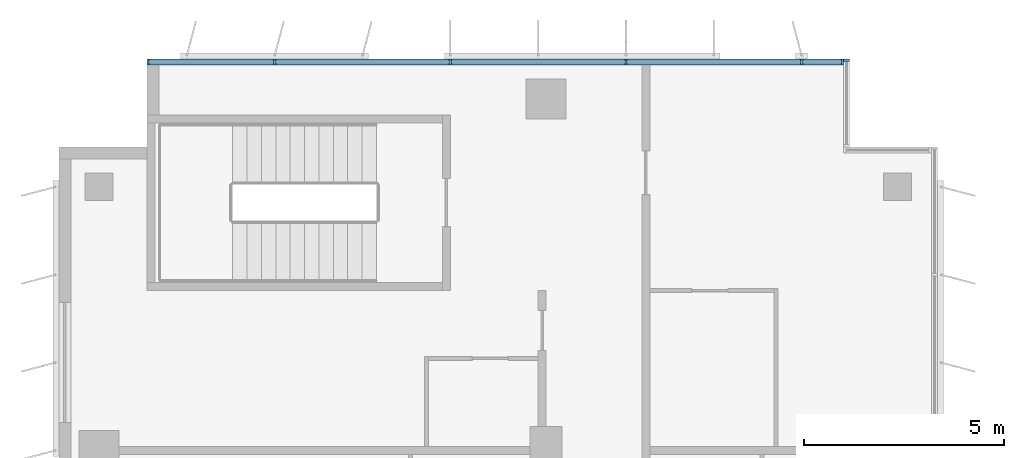
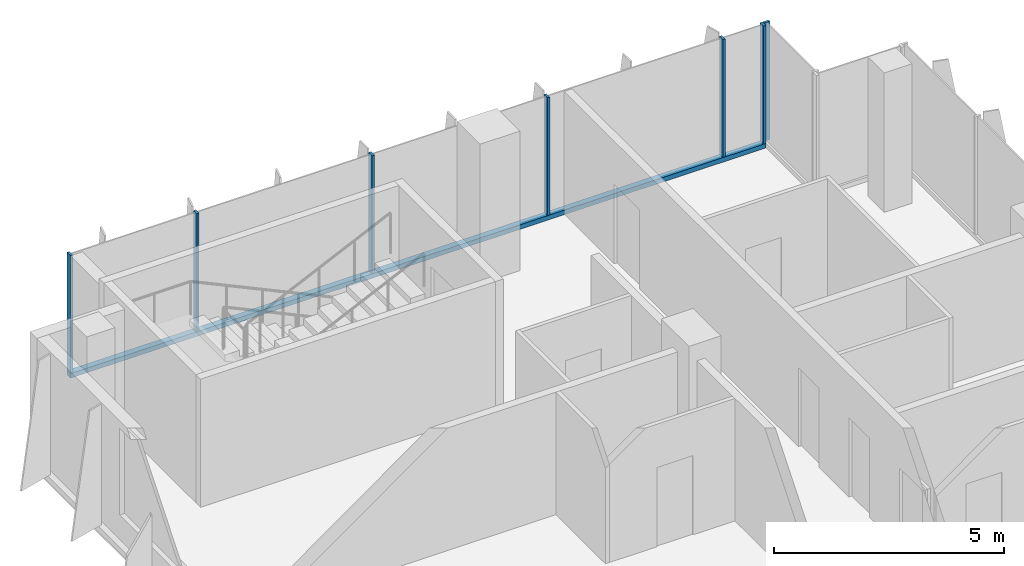
# One storey, part 9 of 21: 8 members, 2 elements without a shape of their own.
"""IFC4 building model written with IfcOpenShell, lengths in metres."""

from ifc_helpers import new_model, si_unit, direction, frame, origin, origin_2d, place, context, subcontext, project, spatial, rectangle, extrude, source, transform, mapped, material, material_profile, profile_set, type_object, element, aggregate, save


model = new_model("IFC4")

# Units and contexts
model_context = context("Model", 3, precision=1e-05, world=origin(), true_north=direction((0.0, 1.0)))
body_context = subcontext(model_context, "Body", "Model", "MODEL_VIEW")
ifc_project = project(units=[si_unit("LENGTHUNIT", "METRE"), si_unit("AREAUNIT", "SQUARE_METRE"), si_unit("VOLUMEUNIT", "CUBIC_METRE"), si_unit("PLANEANGLEUNIT", "RADIAN"), si_unit("MASSUNIT", "GRAM", prefix="KILO")], contexts=[model_context])

# Site, building, storey
site_placement = place(None, origin())
site = spatial("IfcSite", under=ifc_project, at=site_placement, CompositionType="ELEMENT")
building_placement = place(site_placement, origin())
building = spatial("IfcBuilding", under=site, at=building_placement, Name="Kemantara Hotel Tower", CompositionType="ELEMENT")
storey_placement = place(building_placement, frame((0.0, 0.0, 219.10009765625)))
storey = spatial("IfcBuildingStorey", under=building, at=storey_placement, Name="L54", CompositionType="ELEMENT", Elevation=219.10009765625)

# Curtain wall, members
ifc_material_1 = material(Name="Low-E tinted double insulated glass 36 mm", Category="glass")
curtain_wall_type = type_object("IfcCurtainWallType", Name="TOWER CURTAIN WALL, FRONT FACES", PredefinedType="USERDEFINED", material=ifc_material_1)
curtain_wall_1_placement = place(storey_placement, origin())
curtain_wall_1 = element("IfcCurtainWall", 1, at=curtain_wall_1_placement, inside=storey, type_object=curtain_wall_type, Name="CW4 L54 T3-R02-1", ObjectType="TOWER CURTAIN WALL, FRONT FACES", PredefinedType="USERDEFINED")
ifc_material_2 = material(Name="Aluminium 6063-T6 bronze anodised", Category="aluminium")
ifc_material_profile_1 = material_profile(ifc_material_2, rectangle(XDim=0.14990234375, YDim=0.1201171875, at=origin_2d()), Name="TOWER CURTAIN WALL, FRONT FACES TRANSOM")
ifc_profile_set_1 = profile_set([ifc_material_profile_1], Name="Aluminium 6063-T6 bronze anodised")
member_type_1 = type_object("IfcMemberType", Name="TOWER CURTAIN WALL, FRONT FACES TRANSOM", PredefinedType="USERDEFINED", material=ifc_profile_set_1)
member_1_placement = place(storey_placement, frame((19.64990234375, 63.52490234375, 0.059814453125), z_axis=(-1.0, 0.0, 0.0), x_axis=(0.0, -1.0, 0.0)))
member_1 = element("IfcMember", 2, at=member_1_placement, type_object=member_type_1, Name="CW4 sill transom T3-R02-1", ObjectType="TRANSOM", PredefinedType="USERDEFINED", context=body_context, shape_type="SweptSolid", body=[
    extrude(rectangle(XDim=0.14990234375, YDim=0.1201171875, at=origin_2d()), origin(), (0.0, 0.0, 1.0), 17.449951171875),
])
ifc_material_profile_2 = material_profile(ifc_material_2, rectangle(XDim=0.14990234375, YDim=0.06005859375, at=origin_2d()), Name="TOWER CURTAIN WALL, FRONT FACES MULLION")
ifc_profile_set_2 = profile_set([ifc_material_profile_2], Name="Aluminium 6063-T6 bronze anodised")
member_type_2 = type_object("IfcMemberType", Name="TOWER CURTAIN WALL, FRONT FACES MULLION", PredefinedType="MULLION", material=ifc_profile_set_2)
shared_shape = source(origin(), body_context, "Body", "SweptSolid", [
    extrude(rectangle(XDim=0.14990234375, YDim=0.06005859375, at=origin_2d()), origin(), (0.0, 0.0, 1.0), 3.130126953125),
])
member_2_placement = place(storey_placement, frame((19.6201171875, 63.52490234375, 0.119873046875), z_axis=(0.0, 0.0, 1.0), x_axis=(0.0, -1.0, 0.0)))
member_2 = element("IfcMember", 3, at=member_2_placement, type_object=member_type_2, Name="CW4 mullion T3-R02-1.1", PredefinedType="MULLION", context=body_context, shape_type="MappedRepresentation", body=[
    mapped(shared_shape, transform((0.0, 0.0, 0.0))),
])
member_3_placement = place(storey_placement, frame((18.60009765625, 63.52490234375, 0.119873046875), z_axis=(0.0, 0.0, 1.0), x_axis=(0.0, -1.0, 0.0)))
member_3 = element("IfcMember", 4, at=member_3_placement, type_object=member_type_2, Name="CW4 mullion T3-R02-1.2", PredefinedType="MULLION", context=body_context, shape_type="MappedRepresentation", body=[
    mapped(shared_shape, transform((0.0, 0.0, 0.0))),
])
member_4_placement = place(storey_placement, frame((14.199951171875, 63.52490234375, 0.119873046875), z_axis=(0.0, 0.0, 1.0), x_axis=(0.0, -1.0, 0.0)))
member_4 = element("IfcMember", 5, at=member_4_placement, type_object=member_type_2, Name="CW4 mullion T3-R02-1.3", PredefinedType="MULLION", context=body_context, shape_type="MappedRepresentation", body=[
    mapped(shared_shape, transform((0.0, 0.0, 0.0))),
])
member_5_placement = place(storey_placement, frame((9.800048828125, 63.52490234375, 0.119873046875), z_axis=(0.0, 0.0, 1.0), x_axis=(0.0, -1.0, 0.0)))
member_5 = element("IfcMember", 6, at=member_5_placement, type_object=member_type_2, Name="CW4 mullion T3-R02-1.4", PredefinedType="MULLION", context=body_context, shape_type="MappedRepresentation", body=[
    mapped(shared_shape, transform((0.0, 0.0, 0.0))),
])
member_6_placement = place(storey_placement, frame((5.39990234375, 63.52490234375, 0.119873046875), z_axis=(0.0, 0.0, 1.0), x_axis=(0.0, -1.0, 0.0)))
member_6 = element("IfcMember", 7, at=member_6_placement, type_object=member_type_2, Name="CW4 mullion T3-R02-1.5", PredefinedType="MULLION", context=body_context, shape_type="MappedRepresentation", body=[
    mapped(shared_shape, transform((0.0, 0.0, 0.0))),
])
member_7_placement = place(storey_placement, frame((2.22998046875, 63.52490234375, 0.119873046875), z_axis=(0.0, 0.0, 1.0), x_axis=(0.0, -1.0, 0.0)))
member_7 = element("IfcMember", 8, at=member_7_placement, type_object=member_type_2, Name="CW4 mullion T3-R02-1.6", PredefinedType="MULLION", context=body_context, shape_type="MappedRepresentation", body=[
    mapped(shared_shape, transform((0.0, 0.0, 0.0))),
])
aggregate(curtain_wall_1, [member_1, member_2, member_3, member_4, member_5, member_6, member_7])

# Curtain wall, member
curtain_wall_2_placement = place(storey_placement, origin())
curtain_wall_2 = element("IfcCurtainWall", 9, at=curtain_wall_2_placement, inside=storey, type_object=curtain_wall_type, Name="CW4 L54 T3-R01-1", ObjectType="TOWER CURTAIN WALL, FRONT FACES", PredefinedType="USERDEFINED")
member_8_placement = place(storey_placement, frame((19.72509765625, 63.570068359375, 0.119873046875), z_axis=(0.0, 0.0, 1.0), x_axis=(-1.0, 0.0, 0.0)))
member_8 = element("IfcMember", 10, at=member_8_placement, type_object=member_type_2, Name="CW4 mullion T3-R01-1.2", PredefinedType="MULLION", context=body_context, shape_type="MappedRepresentation", body=[
    mapped(shared_shape, transform((0.0, 0.0, 0.0))),
])
aggregate(curtain_wall_2, [member_8])

save(model, "model.ifc")
